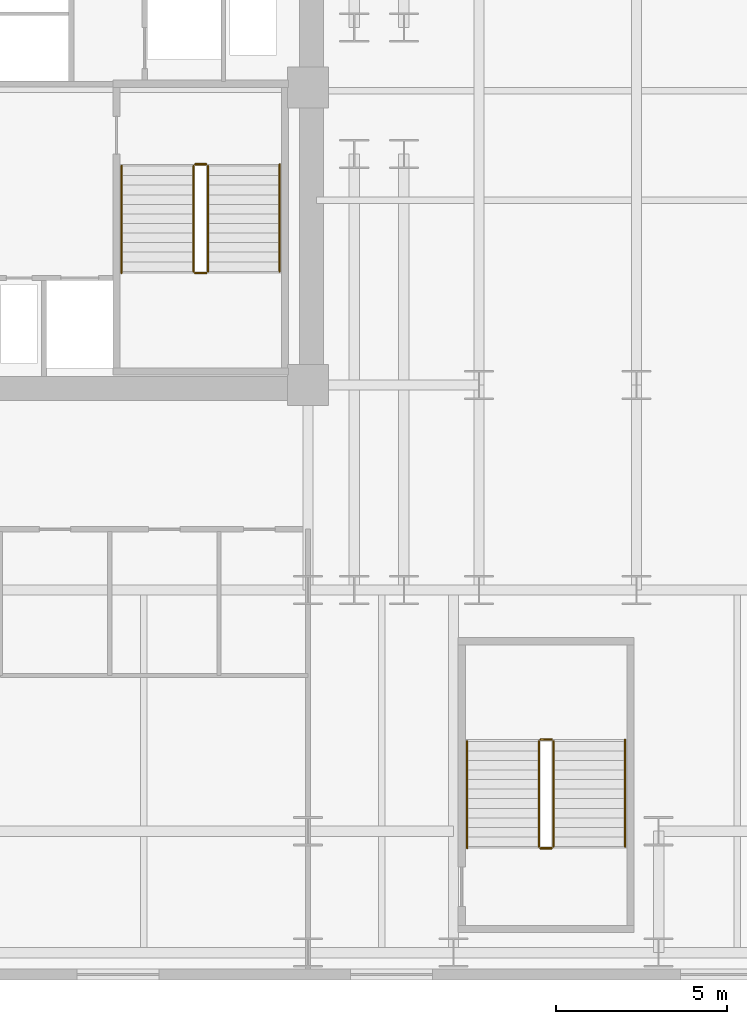
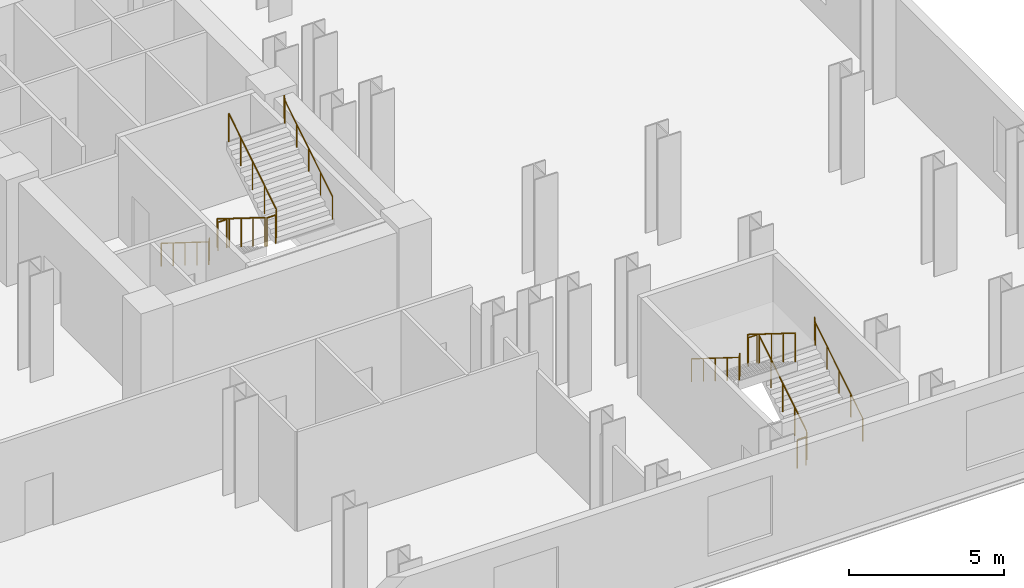
# One storey, part 13 of 13: 12 railings.
"""IFC4 building model written with IfcOpenShell, lengths in metres."""

import ifcopenshell
import ifcopenshell.guid

model = None  # the IFC model being written
_history = None  # IfcOwnerHistory: only IFC2X3 demands one
_inside = {}  # id of a spatial element -> (the spatial element, [elements in it])
_under = {}  # id of a project, library or spatial element -> (it, [spatial elements below it])
_declared = {}  # id of a project -> (the project, [libraries it declares])
_typed = {}  # id of a type object -> (the type object, [elements of that type])
_made_of = {}  # id of a material, layer set ... -> (it, [elements and type objects made of it])


def new_model(schema):
    """Start an empty IFC model of exactly this schema.

    Asked for "IFC4X3", IfcOpenShell would pick the latest addendum, in which some entities
    have other attributes; the version numbers below select the first issue.
    IFC2X3 requires an IfcOwnerHistory on every rooted entity: one is made here for all.
    """
    global model, _history
    if schema == "IFC4X3":
        model = ifcopenshell.file(schema_version=(4, 3, 0, 0))
    else:
        model = ifcopenshell.file(schema=schema)
    _inside.clear()
    _under.clear()
    _declared.clear()
    _typed.clear()
    _made_of.clear()
    _history = None
    if model.schema == "IFC2X3":
        org = make("IfcOrganization", Name="unknown")
        user = make(
            "IfcPersonAndOrganization",
            ThePerson=make("IfcPerson", FamilyName="unknown"),
            TheOrganization=org,
        )
        app = make(
            "IfcApplication",
            ApplicationDeveloper=org,
            Version="unknown",
            ApplicationFullName="unknown",
            ApplicationIdentifier="unknown",
        )
        _history = make(
            "IfcOwnerHistory",
            OwningUser=user,
            OwningApplication=app,
            ChangeAction="ADDED",
            CreationDate=0,
        )
    return model


def make(cls, **values):
    """One entity of the class cls with the attributes given. An attribute that is None is left unset."""
    return model.create_entity(
        cls, **{name: value for name, value in values.items() if value is not None}
    )


def rooted(cls, **values):
    """An entity with a GlobalId (a new one), such as an element, a storey or a relation."""
    return make(cls, GlobalId=ifcopenshell.guid.new(), OwnerHistory=_history, **values)


def si_unit(unit_type, name, prefix=None):
    """IfcSIUnit, for example si_unit("LENGTHUNIT", "METRE", prefix="MILLI")."""
    return make("IfcSIUnit", UnitType=unit_type, Prefix=prefix, Name=name)


def assignment(units):
    """IfcUnitAssignment: the units of a project."""
    return None if units is None else make("IfcUnitAssignment", Units=units)


def point(xyz):
    """IfcCartesianPoint."""
    return None if xyz is None else make("IfcCartesianPoint", Coordinates=xyz)


def direction(xyz):
    """IfcDirection."""
    return None if xyz is None else make("IfcDirection", DirectionRatios=xyz)


def frame(location, z_axis=None, x_axis=None):
    """IfcAxis2Placement3D, a coordinate frame: its origin and axes. An axis left out is left unset."""
    return make(
        "IfcAxis2Placement3D",
        Location=point(location),
        Axis=direction(z_axis),
        RefDirection=direction(x_axis),
    )


def frame_2d(location, x_axis=None):
    """IfcAxis2Placement2D, a coordinate frame in the plane: its origin and x axis."""
    return make(
        "IfcAxis2Placement2D", Location=point(location), RefDirection=direction(x_axis)
    )


def origin():
    """The frame at (0, 0, 0) with its axes left unset."""
    return frame((0.0, 0.0, 0.0))


def origin_2d():
    """The frame at (0, 0) in the plane with its x axis left unset."""
    return frame_2d((0.0, 0.0))


def place(relative_to, where):
    """IfcLocalPlacement: puts the frame where relative to a parent placement (None: the world)."""
    return make(
        "IfcLocalPlacement", PlacementRelTo=relative_to, RelativePlacement=where
    )


def context(
    kind, dimensions, precision=None, world=None, true_north=None, identifier=None
):
    """IfcGeometricRepresentationContext, for example the 3D "Model" context."""
    return make(
        "IfcGeometricRepresentationContext",
        ContextIdentifier=identifier,
        ContextType=kind,
        CoordinateSpaceDimension=dimensions,
        Precision=precision,
        WorldCoordinateSystem=world,
        TrueNorth=true_north,
    )


def subcontext(parent, identifier, kind, view, scale=None):
    """IfcGeometricRepresentationSubContext, for example "Body" below "Model"."""
    return make(
        "IfcGeometricRepresentationSubContext",
        ContextIdentifier=identifier,
        ContextType=kind,
        ParentContext=parent,
        TargetScale=scale,
        TargetView=view,
    )


def project(units=None, contexts=None):
    """IfcProject with its units and contexts."""
    return rooted(
        "IfcProject",
        Name="project",
        RepresentationContexts=contexts,
        UnitsInContext=assignment(units),
    )


def spatial(cls, under=None, at=None, **own):
    """A site, building, storey or space (cls), placed at a placement, below another one or the project."""
    s = rooted(cls, ObjectPlacement=at, **own)
    if under is not None:
        _under.setdefault(under.id(), (under, []))[1].append(s)
    return s


def profile(cls, at=None, kind="AREA", **sizes):
    """A parametric profile (cls). Its sizes go by their IFC names, for example OverallWidth=200.0."""
    return make(cls, ProfileType=kind, Position=at, **sizes)


def circle(**sizes):
    """IfcCircleProfileDef."""
    return profile("IfcCircleProfileDef", **sizes)


def extrude(swept, where, along, depth):
    """IfcExtrudedAreaSolid: the profile swept, set in the frame where, extruded along a direction by depth."""
    return make(
        "IfcExtrudedAreaSolid",
        SweptArea=swept,
        Position=where,
        ExtrudedDirection=direction(along),
        Depth=depth,
    )


def shape(context_of_items, identifier, shape_type, items):
    """IfcShapeRepresentation: the items that make up one representation, for example the "Body"."""
    return make(
        "IfcShapeRepresentation",
        ContextOfItems=context_of_items,
        RepresentationIdentifier=identifier,
        RepresentationType=shape_type,
        Items=items,
    )


def material(Name=None, Category=None):
    """IfcMaterial."""
    return make("IfcMaterial", Name=Name, Category=Category)


def made_of(thing, what):
    """Note that an element or type object is made of a material, layer set ...; save() writes the relation."""
    if what is not None:
        _made_of.setdefault(what.id(), (what, []))[1].append(thing)
    return thing


def type_object(cls, material=None, **own):
    """A type object (cls), such as IfcWallType, which elements share."""
    return made_of(rooted(cls, **own), material)


def element(
    cls,
    number,
    at=None,
    inside=None,
    cuts=None,
    type_object=None,
    material=None,
    context=None,
    identifier="Body",
    shape_type=None,
    held_by="IfcProductDefinitionShape",
    body=None,
    shapes=None,
    **own,
):
    """One element of the class cls, such as IfcWall. Its Tag is "e" and its number.

    at: its placement. inside: the storey or other place that contains it. cuts: it is an
    opening in that element (IfcRelVoidsElement). A single representation is given by context,
    identifier, shape_type and body (its items); several are given by shapes. held_by: the class
    of the entity that holds the representations. save() writes the other relations.
    """
    e = rooted(cls, Tag="e%d" % number, ObjectPlacement=at, **own)
    if body is not None:
        shapes = [shape(context, identifier, shape_type, body)]
    if shapes is not None:
        e.Representation = make(held_by, Representations=shapes)
    if inside is not None:
        _inside.setdefault(inside.id(), (inside, []))[1].append(e)
    if cuts is not None:
        rooted(
            "IfcRelVoidsElement", RelatingBuildingElement=cuts, RelatedOpeningElement=e
        )
    if type_object is not None:
        _typed.setdefault(type_object.id(), (type_object, []))[1].append(e)
    return made_of(e, material)


def aggregate(whole, parts):
    """IfcRelAggregates: a whole, such as a stair, and the parts it consists of."""
    return rooted("IfcRelAggregates", RelatingObject=whole, RelatedObjects=parts)


def save(model, path):
    """Write the relations noted so far, then the file.

    IfcRelAggregates (storeys below a building ...), IfcRelContainedInSpatialStructure (elements
    in a storey), IfcRelDefinesByType, IfcRelAssociatesMaterial and IfcRelDeclares: one each for
    every whole, place, type object, material and project.
    """
    for whole, parts in _under.values():
        aggregate(whole, parts)
    for where, things in _inside.values():
        rooted(
            "IfcRelContainedInSpatialStructure",
            RelatedElements=things,
            RelatingStructure=where,
        )
    for kind, things in _typed.values():
        rooted("IfcRelDefinesByType", RelatedObjects=things, RelatingType=kind)
    for what, things in _made_of.values():
        rooted("IfcRelAssociatesMaterial", RelatedObjects=things, RelatingMaterial=what)
    for by, libraries in _declared.values():
        rooted("IfcRelDeclares", RelatingContext=by, RelatedDefinitions=libraries)
    model.write(path)


model = new_model("IFC4")

# Units and contexts
model_context = context("Model", 3, precision=1e-05, world=origin(), true_north=direction((0.0, 1.0)))
body_context = subcontext(model_context, "Body", "Model", "MODEL_VIEW")
ifc_project = project(units=[si_unit("LENGTHUNIT", "METRE"), si_unit("AREAUNIT", "SQUARE_METRE"), si_unit("VOLUMEUNIT", "CUBIC_METRE"), si_unit("PLANEANGLEUNIT", "RADIAN"), si_unit("MASSUNIT", "GRAM", prefix="KILO")], contexts=[model_context])

# Site, building, storey
site_placement = place(None, origin())
site = spatial("IfcSite", under=ifc_project, at=site_placement, CompositionType="ELEMENT")
building_placement = place(site_placement, origin())
building = spatial("IfcBuilding", under=site, at=building_placement, Name="Velakula Bourse", CompositionType="ELEMENT")
storey_placement = place(building_placement, frame((0.0, 0.0, 18.60009765625)))
storey = spatial("IfcBuildingStorey", under=building, at=storey_placement, Name="L04", CompositionType="ELEMENT", Elevation=18.60009765625)

# Railings
ifc_material = material(Name="Brushed grade 316 stainless steel", Category="steel")
railing_type_1 = type_object("IfcRailingType", Name="RLG-STAIR-GUARD-1150", PredefinedType="BALUSTRADE", material=ifc_material)
railing_1_placement = place(storey_placement, frame((15.248046875, -2.199951171875, 0.1748046875)))
element("IfcRailing", 1, at=railing_1_placement, inside=storey, type_object=railing_type_1, Name="L04 ST-E1 stair guard 1", PredefinedType="BALUSTRADE", context=body_context, shape_type="SweptSolid", body=[
    extrude(circle(Radius=0.02490234375, at=origin_2d()), frame((0.0, 0.0, 1.125), z_axis=(0.0, -0.847998304005, 0.529998940003), x_axis=(1.0, 0.0, 0.0)), (0.0, 0.0, 1.0), 3.632080078125),
    extrude(circle(Radius=0.02099609375, at=origin_2d()), origin(), (0.0, 0.0, 1.0), 1.099853515625),
    extrude(circle(Radius=0.02099609375, at=origin_2d()), frame((0.0, -0.77001953125, 0.481201171875)), (0.0, 0.0, 1.0), 1.099853515625),
    extrude(circle(Radius=0.02099609375, at=origin_2d()), frame((0.0, -1.5400390625, 0.96240234375)), (0.0, 0.0, 1.0), 1.099853515625),
    extrude(circle(Radius=0.02099609375, at=origin_2d()), frame((0.0, -2.31005859375, 1.44384765625)), (0.0, 0.0, 1.0), 1.099853515625),
    extrude(circle(Radius=0.02099609375, at=origin_2d()), frame((0.0, -3.080078125, 1.925048828125)), (0.0, 0.0, 1.0), 1.099853515625),
])
railing_2_placement = place(storey_placement, frame((15.298095703125, -5.330078125, 2.099853515625)))
element("IfcRailing", 2, at=railing_2_placement, inside=storey, type_object=railing_type_1, Name="L04 ST-E1 stair guard 2", PredefinedType="BALUSTRADE", context=body_context, shape_type="SweptSolid", body=[
    extrude(circle(Radius=0.02490234375, at=origin_2d()), frame((0.0, 0.0, 1.125), z_axis=(1.0, 0.0, 0.0), x_axis=(0.0, 1.0, 0.0)), (0.0, 0.0, 1.0), 0.323974609375),
    extrude(circle(Radius=0.02099609375, at=origin_2d()), origin(), (0.0, 0.0, 1.0), 1.099853515625),
    extrude(circle(Radius=0.02099609375, at=origin_2d()), frame((0.323974609375, 0.0, 0.0)), (0.0, 0.0, 1.0), 1.099853515625),
])
railing_3_placement = place(storey_placement, frame((15.672119140625, -5.280029296875, 2.27490234375)))
element("IfcRailing", 3, at=railing_3_placement, inside=storey, type_object=railing_type_1, Name="L04 ST-E1 stair guard 3", PredefinedType="BALUSTRADE", context=body_context, shape_type="SweptSolid", body=[
    extrude(circle(Radius=0.02490234375, at=origin_2d()), frame((0.0, 0.0, 1.125), z_axis=(0.0, 0.847998304005, 0.529998940003), x_axis=(-1.0, 0.0, 0.0)), (0.0, 0.0, 1.0), 3.632080078125),
    extrude(circle(Radius=0.02099609375, at=origin_2d()), origin(), (0.0, 0.0, 1.0), 1.099853515625),
    extrude(circle(Radius=0.02099609375, at=origin_2d()), frame((0.0, 0.77001953125, 0.481201171875)), (0.0, 0.0, 1.0), 1.099853515625),
    extrude(circle(Radius=0.02099609375, at=origin_2d()), frame((0.0, 1.5400390625, 0.96240234375)), (0.0, 0.0, 1.0), 1.099853515625),
    extrude(circle(Radius=0.02099609375, at=origin_2d()), frame((0.0, 2.31005859375, 1.44384765625)), (0.0, 0.0, 1.0), 1.099853515625),
    extrude(circle(Radius=0.02099609375, at=origin_2d()), frame((0.0, 3.080078125, 1.925048828125)), (0.0, 0.0, 1.0), 1.099853515625),
])
railing_4_placement = place(storey_placement, frame((15.298095703125, -2.14990234375, 0.0)))
element("IfcRailing", 4, at=railing_4_placement, inside=storey, type_object=railing_type_1, Name="L04 ST-E1 stair guard 4", PredefinedType="BALUSTRADE", context=body_context, shape_type="SweptSolid", body=[
    extrude(circle(Radius=0.02490234375, at=origin_2d()), frame((0.0, 0.0, 1.125), z_axis=(1.0, 0.0, 0.0), x_axis=(0.0, 1.0, 0.0)), (0.0, 0.0, 1.0), 0.323974609375),
    extrude(circle(Radius=0.02099609375, at=origin_2d()), origin(), (0.0, 0.0, 1.0), 1.099853515625),
    extrude(circle(Radius=0.02099609375, at=origin_2d()), frame((0.323974609375, 0.0, 0.0)), (0.0, 0.0, 1.0), 1.099853515625),
])
railing_5_placement = place(storey_placement, frame((25.77197265625, -22.10009765625, 0.1748046875)))
element("IfcRailing", 5, at=railing_5_placement, inside=storey, type_object=railing_type_1, Name="L04 ST-P2 stair guard 1", PredefinedType="BALUSTRADE", context=body_context, shape_type="SweptSolid", body=[
    extrude(circle(Radius=0.02490234375, at=origin_2d()), frame((0.0, 0.0, 1.125), z_axis=(0.0, 0.847998304005, 0.529998940003), x_axis=(-1.0, 0.0, 0.0)), (0.0, 0.0, 1.0), 3.632080078125),
    extrude(circle(Radius=0.02099609375, at=origin_2d()), origin(), (0.0, 0.0, 1.0), 1.099853515625),
    extrude(circle(Radius=0.02099609375, at=origin_2d()), frame((0.0, 0.77001953125, 0.481201171875)), (0.0, 0.0, 1.0), 1.099853515625),
    extrude(circle(Radius=0.02099609375, at=origin_2d()), frame((0.0, 1.5400390625, 0.96240234375)), (0.0, 0.0, 1.0), 1.099853515625),
    extrude(circle(Radius=0.02099609375, at=origin_2d()), frame((0.0, 2.31005859375, 1.44384765625)), (0.0, 0.0, 1.0), 1.099853515625),
    extrude(circle(Radius=0.02099609375, at=origin_2d()), frame((0.0, 3.080078125, 1.925048828125)), (0.0, 0.0, 1.0), 1.099853515625),
])
railing_6_placement = place(storey_placement, frame((25.721923828125, -18.969970703125, 2.099853515625)))
element("IfcRailing", 6, at=railing_6_placement, inside=storey, type_object=railing_type_1, Name="L04 ST-P2 stair guard 2", PredefinedType="BALUSTRADE", context=body_context, shape_type="SweptSolid", body=[
    extrude(circle(Radius=0.02490234375, at=origin_2d()), frame((0.0, 0.0, 1.125), z_axis=(-1.0, 0.0, 0.0), x_axis=(0.0, -1.0, 0.0)), (0.0, 0.0, 1.0), 0.323974609375),
    extrude(circle(Radius=0.02099609375, at=origin_2d()), origin(), (0.0, 0.0, 1.0), 1.099853515625),
    extrude(circle(Radius=0.02099609375, at=origin_2d()), frame((-0.323974609375, 0.0, 0.0)), (0.0, 0.0, 1.0), 1.099853515625),
])
railing_7_placement = place(storey_placement, frame((25.347900390625, -19.02001953125, 2.27490234375)))
element("IfcRailing", 7, at=railing_7_placement, inside=storey, type_object=railing_type_1, Name="L04 ST-P2 stair guard 3", PredefinedType="BALUSTRADE", context=body_context, shape_type="SweptSolid", body=[
    extrude(circle(Radius=0.02490234375, at=origin_2d()), frame((0.0, 0.0, 1.125), z_axis=(0.0, -0.847998304005, 0.529998940003), x_axis=(1.0, 0.0, 0.0)), (0.0, 0.0, 1.0), 3.632080078125),
    extrude(circle(Radius=0.02099609375, at=origin_2d()), origin(), (0.0, 0.0, 1.0), 1.099853515625),
    extrude(circle(Radius=0.02099609375, at=origin_2d()), frame((0.0, -0.77001953125, 0.481201171875)), (0.0, 0.0, 1.0), 1.099853515625),
    extrude(circle(Radius=0.02099609375, at=origin_2d()), frame((0.0, -1.5400390625, 0.96240234375)), (0.0, 0.0, 1.0), 1.099853515625),
    extrude(circle(Radius=0.02099609375, at=origin_2d()), frame((0.0, -2.31005859375, 1.44384765625)), (0.0, 0.0, 1.0), 1.099853515625),
    extrude(circle(Radius=0.02099609375, at=origin_2d()), frame((0.0, -3.080078125, 1.925048828125)), (0.0, 0.0, 1.0), 1.099853515625),
])
railing_8_placement = place(storey_placement, frame((25.721923828125, -22.14990234375, 0.0)))
element("IfcRailing", 8, at=railing_8_placement, inside=storey, type_object=railing_type_1, Name="L04 ST-P2 stair guard 4", PredefinedType="BALUSTRADE", context=body_context, shape_type="SweptSolid", body=[
    extrude(circle(Radius=0.02490234375, at=origin_2d()), frame((0.0, 0.0, 1.125), z_axis=(-1.0, 0.0, 0.0), x_axis=(0.0, -1.0, 0.0)), (0.0, 0.0, 1.0), 0.323974609375),
    extrude(circle(Radius=0.02099609375, at=origin_2d()), origin(), (0.0, 0.0, 1.0), 1.099853515625),
    extrude(circle(Radius=0.02099609375, at=origin_2d()), frame((-0.323974609375, 0.0, 0.0)), (0.0, 0.0, 1.0), 1.099853515625),
])
railing_type_2 = type_object("IfcRailingType", Name="RLG-STAIR-HAND-920", PredefinedType="HANDRAIL", material=ifc_material)
railing_9_placement = place(storey_placement, frame((13.14990234375, -2.199951171875, 0.1748046875)))
element("IfcRailing", 9, at=railing_9_placement, inside=storey, type_object=railing_type_2, Name="L04 ST-E1 stair handrail 1", PredefinedType="HANDRAIL", context=body_context, shape_type="SweptSolid", body=[
    extrude(circle(Radius=0.02099609375, at=origin_2d()), frame((0.0, 0.0, 0.89892578125), z_axis=(0.0, -0.847998304005, 0.529998940003), x_axis=(1.0, 0.0, 0.0)), (0.0, 0.0, 1.0), 3.632080078125),
    extrude(circle(Radius=0.02099609375, at=origin_2d()), frame((0.0, -3.080078125, 2.823974609375), z_axis=(0.0, -0.222972465624, 0.974824743004), x_axis=(1.0, 0.0, 0.0)), (0.0, 0.0, 1.0), 0.1796875),
    extrude(circle(Radius=0.02099609375, at=origin_2d()), frame((0.0, -3.1201171875, 2.9990234375), z_axis=(0.0, -1.0, 0.0), x_axis=(1.0, 0.0, 0.0)), (0.0, 0.0, 1.0), 0.0048828125),
    extrude(circle(Radius=0.02099609375, at=origin_2d()), origin(), (0.0, 0.0, 1.0), 0.8779296875),
    extrude(circle(Radius=0.02099609375, at=origin_2d()), frame((0.0, -0.77001953125, 0.481201171875)), (0.0, 0.0, 1.0), 0.8779296875),
    extrude(circle(Radius=0.02099609375, at=origin_2d()), frame((0.0, -1.5400390625, 0.96240234375)), (0.0, 0.0, 1.0), 0.8779296875),
    extrude(circle(Radius=0.02099609375, at=origin_2d()), frame((0.0, -2.31005859375, 1.44384765625)), (0.0, 0.0, 1.0), 0.8779296875),
    extrude(circle(Radius=0.02099609375, at=origin_2d()), frame((0.0, -3.080078125, 1.925048828125)), (0.0, 0.0, 1.0), 0.8779296875),
    extrude(circle(Radius=0.02099609375, at=origin_2d()), frame((0.0, -3.1201171875, 2.10009765625)), (0.0, 0.0, 1.0), 0.8779296875),
    extrude(circle(Radius=0.02099609375, at=origin_2d()), frame((0.0, -3.125, 2.10009765625)), (0.0, 0.0, 1.0), 0.8779296875),
])
for number, where, name in (
    (10, (17.77001953125, -5.280029296875, 2.27490234375), "L04 ST-E1 stair handrail 2"),
    (11, (27.8701171875, -22.10009765625, 0.1748046875), "L04 ST-P2 stair handrail 1"),
):
    element("IfcRailing", number, at=place(storey_placement, frame(where)), inside=storey, type_object=railing_type_2, Name=name, PredefinedType="HANDRAIL", context=body_context, shape_type="SweptSolid", body=[
        extrude(circle(Radius=0.02099609375, at=origin_2d()), frame((0.0, 0.0, 0.89892578125), z_axis=(0.0, 0.847998304005, 0.529998940003), x_axis=(-1.0, 0.0, 0.0)), (0.0, 0.0, 1.0), 3.632080078125),
        extrude(circle(Radius=0.02099609375, at=origin_2d()), frame((0.0, 3.080078125, 2.823974609375), z_axis=(0.0, 0.222972465624, 0.974824743004), x_axis=(-1.0, 0.0, 0.0)), (0.0, 0.0, 1.0), 0.1796875),
        extrude(circle(Radius=0.02099609375, at=origin_2d()), frame((0.0, 3.1201171875, 2.9990234375), z_axis=(0.0, 1.0, 0.0), x_axis=(-1.0, 0.0, 0.0)), (0.0, 0.0, 1.0), 0.0048828125),
        extrude(circle(Radius=0.02099609375, at=origin_2d()), origin(), (0.0, 0.0, 1.0), 0.8779296875),
        extrude(circle(Radius=0.02099609375, at=origin_2d()), frame((0.0, 0.77001953125, 0.481201171875)), (0.0, 0.0, 1.0), 0.8779296875),
        extrude(circle(Radius=0.02099609375, at=origin_2d()), frame((0.0, 1.5400390625, 0.96240234375)), (0.0, 0.0, 1.0), 0.8779296875),
        extrude(circle(Radius=0.02099609375, at=origin_2d()), frame((0.0, 2.31005859375, 1.44384765625)), (0.0, 0.0, 1.0), 0.8779296875),
        extrude(circle(Radius=0.02099609375, at=origin_2d()), frame((0.0, 3.080078125, 1.925048828125)), (0.0, 0.0, 1.0), 0.8779296875),
        extrude(circle(Radius=0.02099609375, at=origin_2d()), frame((0.0, 3.1201171875, 2.10009765625)), (0.0, 0.0, 1.0), 0.8779296875),
        extrude(circle(Radius=0.02099609375, at=origin_2d()), frame((0.0, 3.125, 2.10009765625)), (0.0, 0.0, 1.0), 0.8779296875),
    ])
railing_10_placement = place(storey_placement, frame((23.25, -19.02001953125, 2.27490234375)))
element("IfcRailing", 12, at=railing_10_placement, inside=storey, type_object=railing_type_2, Name="L04 ST-P2 stair handrail 2", PredefinedType="HANDRAIL", context=body_context, shape_type="SweptSolid", body=[
    extrude(circle(Radius=0.02099609375, at=origin_2d()), frame((0.0, 0.0, 0.89892578125), z_axis=(0.0, -0.847998304005, 0.529998940003), x_axis=(1.0, 0.0, 0.0)), (0.0, 0.0, 1.0), 3.632080078125),
    extrude(circle(Radius=0.02099609375, at=origin_2d()), frame((0.0, -3.080078125, 2.823974609375), z_axis=(0.0, -0.221679885081, 0.975119494498), x_axis=(1.0, 0.0, 0.0)), (0.0, 0.0, 1.0), 0.179443359375),
    extrude(circle(Radius=0.02099609375, at=origin_2d()), frame((0.0, -3.119873046875, 2.9990234375), z_axis=(0.0, -1.0, 0.0), x_axis=(1.0, 0.0, 0.0)), (0.0, 0.0, 1.0), 0.005126953125),
    extrude(circle(Radius=0.02099609375, at=origin_2d()), origin(), (0.0, 0.0, 1.0), 0.8779296875),
    extrude(circle(Radius=0.02099609375, at=origin_2d()), frame((0.0, -0.77001953125, 0.481201171875)), (0.0, 0.0, 1.0), 0.8779296875),
    extrude(circle(Radius=0.02099609375, at=origin_2d()), frame((0.0, -1.5400390625, 0.96240234375)), (0.0, 0.0, 1.0), 0.8779296875),
    extrude(circle(Radius=0.02099609375, at=origin_2d()), frame((0.0, -2.31005859375, 1.44384765625)), (0.0, 0.0, 1.0), 0.8779296875),
    extrude(circle(Radius=0.02099609375, at=origin_2d()), frame((0.0, -3.080078125, 1.925048828125)), (0.0, 0.0, 1.0), 0.8779296875),
    extrude(circle(Radius=0.02099609375, at=origin_2d()), frame((0.0, -3.119873046875, 2.10009765625)), (0.0, 0.0, 1.0), 0.8779296875),
    extrude(circle(Radius=0.02099609375, at=origin_2d()), frame((0.0, -3.125, 2.10009765625)), (0.0, 0.0, 1.0), 0.8779296875),
])

save(model, "model.ifc")
